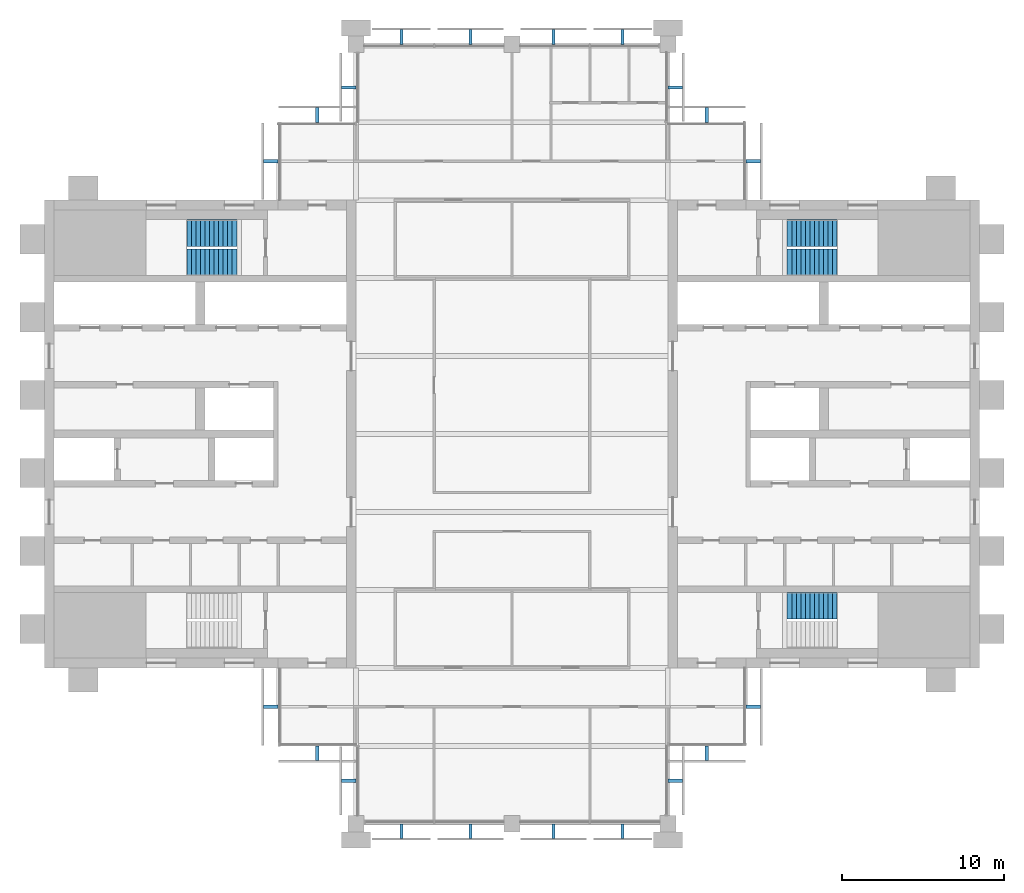
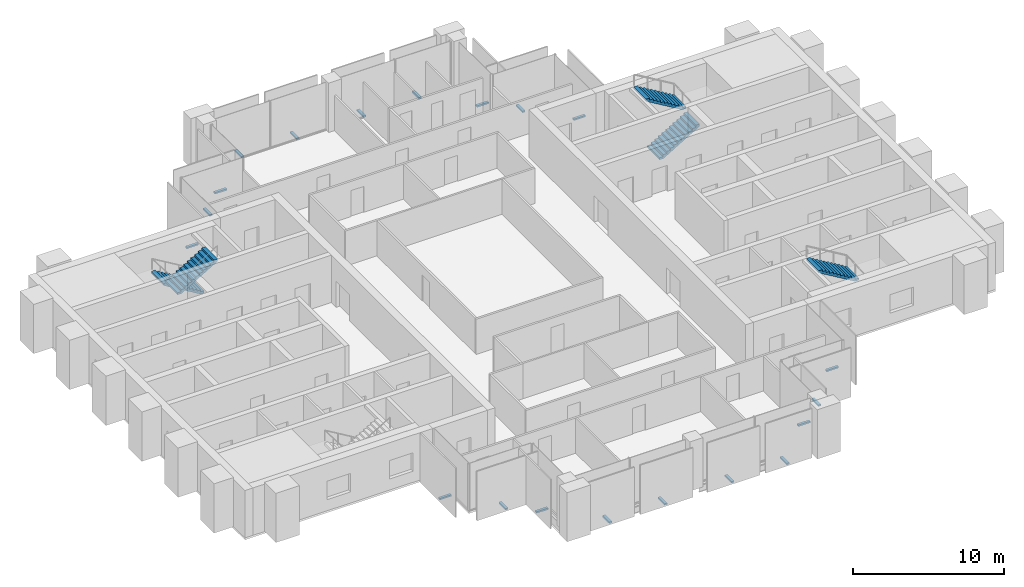
# One storey, part 12 of 13: 20 discrete accessories, 5 stair flights, 3 elements without a shape of their own.
"""IFC4 building model written with IfcOpenShell, lengths in metres."""

from ifc_helpers import new_model, si_unit, direction, frame, origin, origin_2d, place, context, subcontext, project, spatial, polyline, rectangle, outline, extrude, material, type_object, element, aggregate, save


model = new_model("IFC4")

# Units and contexts
model_context = context("Model", 3, precision=1e-05, world=origin(), true_north=direction((0.0, 1.0)))
body_context = subcontext(model_context, "Body", "Model", "MODEL_VIEW")
ifc_project = project(units=[si_unit("LENGTHUNIT", "METRE"), si_unit("AREAUNIT", "SQUARE_METRE"), si_unit("VOLUMEUNIT", "CUBIC_METRE"), si_unit("PLANEANGLEUNIT", "RADIAN"), si_unit("MASSUNIT", "GRAM", prefix="KILO")], contexts=[model_context])

# Site, building, storey
site_placement = place(None, origin())
site = spatial("IfcSite", under=ifc_project, at=site_placement, CompositionType="ELEMENT")
building_placement = place(site_placement, origin())
building = spatial("IfcBuilding", under=site, at=building_placement, Name="Baori Bourse Tower", CompositionType="ELEMENT")
storey_placement = place(building_placement, frame((0.0, 0.0, 334.300048828125)))
storey = spatial("IfcBuildingStorey", under=building, at=storey_placement, Name="L74", CompositionType="ELEMENT", Elevation=334.300048828125)

# Stair, stair flights
ifc_material_1 = material(Name="Concrete f'c 50 MPa", Category="concrete")
stair_type = type_object("IfcStairType", Name="Core stair", PredefinedType="HALF_TURN_STAIR", material=ifc_material_1)
stair_1_placement = place(storey_placement, origin())
stair_1 = element("IfcStair", 1, at=stair_1_placement, inside=storey, type_object=stair_type, Name="L74 Stair WB", PredefinedType="HALF_TURN_STAIR")
ifc_material_2 = material(Name="Concrete f'c 50 MPa", Category="concrete")
stair_flight_type = type_object("IfcStairFlightType", Name="Core stair flight", PredefinedType="STRAIGHT", material=ifc_material_2)
stair_flight_1_placement = place(storey_placement, frame((11.85009765625, 36.375, 0.0), z_axis=(0.0, 0.0, 1.0), x_axis=(-1.0, 0.0, 0.0)))
stair_flight_1 = element("IfcStairFlight", 2, at=stair_flight_1_placement, type_object=stair_flight_type, Name="ST2 flight 1", NumberOfRisers=12, NumberOfTreads=11, PredefinedType="STRAIGHT", RiserHeight=0.166666667, TreadLength=0.28, context=body_context, shape_type="SweptSolid", body=[
    extrude(outline(polyline([(0.0, 0.0), (0.0, 0.166748046875), (0.280029296875, 0.166748046875), (0.280029296875, 0.333251953125), (0.56005859375, 0.333251953125), (0.56005859375, 0.5), (0.840087890625, 0.5), (0.840087890625, 0.666748046875), (1.1201171875, 0.666748046875), (1.1201171875, 0.833251953125), (1.39990234375, 0.833251953125), (1.39990234375, 1.0), (1.679931640625, 1.0), (1.679931640625, 1.166748046875), (1.9599609375, 1.166748046875), (1.9599609375, 1.333251953125), (2.239990234375, 1.333251953125), (2.239990234375, 1.5), (2.52001953125, 1.5), (2.52001953125, 1.666748046875), (2.800048828125, 1.666748046875), (2.800048828125, 1.833251953125), (3.080078125, 1.833251953125), (3.080078125, 2.0), (3.080078125, 1.658935546875), (0.29296875, 0.0), (0.0, 0.0)])), frame((0.0, 0.824951171875, 0.0), z_axis=(0.0, -1.0, 0.0), x_axis=(1.0, 0.0, 0.0)), (0.0, 0.0, 1.0), 1.64990234375),
])
stair_flight_2_placement = place(storey_placement, frame((8.77001953125, 34.574951171875, 2.0), z_axis=(0.0, 0.0, 1.0), x_axis=(1.0, 0.0, 0.0)))
stair_flight_2 = element("IfcStairFlight", 3, at=stair_flight_2_placement, type_object=stair_flight_type, Name="ST2 flight 2", NumberOfRisers=12, NumberOfTreads=11, PredefinedType="STRAIGHT", RiserHeight=0.166666667, TreadLength=0.28, context=body_context, shape_type="SweptSolid", body=[
    extrude(outline(polyline([(0.0, 0.0), (0.0, 0.166748046875), (0.280029296875, 0.166748046875), (0.280029296875, 0.333251953125), (0.56005859375, 0.333251953125), (0.56005859375, 0.5), (0.840087890625, 0.5), (0.840087890625, 0.666748046875), (1.1201171875, 0.666748046875), (1.1201171875, 0.833251953125), (1.39990234375, 0.833251953125), (1.39990234375, 1.0), (1.679931640625, 1.0), (1.679931640625, 1.166748046875), (1.9599609375, 1.166748046875), (1.9599609375, 1.333251953125), (2.239990234375, 1.333251953125), (2.239990234375, 1.5), (2.52001953125, 1.5), (2.52001953125, 1.666748046875), (2.800048828125, 1.666748046875), (2.800048828125, 1.833251953125), (3.080078125, 1.833251953125), (3.080078125, 2.0), (3.080078125, 1.658935546875), (0.29296875, 0.0), (0.0, 0.0)])), frame((0.0, 0.824951171875, 0.0), z_axis=(0.0, -1.0, 0.0), x_axis=(1.0, 0.0, 0.0)), (0.0, 0.0, 1.0), 1.64990234375),
])
aggregate(stair_1, [stair_flight_1, stair_flight_2])

# Stair, stair flight
stair_2_placement = place(storey_placement, origin())
stair_2 = element("IfcStair", 4, at=stair_2_placement, inside=storey, type_object=stair_type, Name="L74 Stair EA", PredefinedType="HALF_TURN_STAIR")
stair_flight_3_placement = place(storey_placement, frame((48.830078125, 13.425048828125, 2.0), z_axis=(0.0, 0.0, 1.0), x_axis=(-1.0, 0.0, 0.0)))
stair_flight_3 = element("IfcStairFlight", 5, at=stair_flight_3_placement, type_object=stair_flight_type, Name="ST3 flight 2", NumberOfRisers=12, NumberOfTreads=11, PredefinedType="STRAIGHT", RiserHeight=0.166666667, TreadLength=0.28, context=body_context, shape_type="SweptSolid", body=[
    extrude(outline(polyline([(0.0, 0.0), (0.0, 0.166748046875), (0.280029296875, 0.166748046875), (0.280029296875, 0.333251953125), (0.56005859375, 0.333251953125), (0.56005859375, 0.5), (0.840087890625, 0.5), (0.840087890625, 0.666748046875), (1.1201171875, 0.666748046875), (1.1201171875, 0.833251953125), (1.39990234375, 0.833251953125), (1.39990234375, 1.0), (1.679931640625, 1.0), (1.679931640625, 1.166748046875), (1.9599609375, 1.166748046875), (1.9599609375, 1.333251953125), (2.239990234375, 1.333251953125), (2.239990234375, 1.5), (2.52001953125, 1.5), (2.52001953125, 1.666748046875), (2.800048828125, 1.666748046875), (2.800048828125, 1.833251953125), (3.080078125, 1.833251953125), (3.080078125, 2.0), (3.080078125, 1.658935546875), (0.29296875, 0.0), (0.0, 0.0)])), frame((0.0, 0.824951171875, 0.0), z_axis=(0.0, -1.0, 0.0), x_axis=(1.0, 0.0, 0.0)), (0.0, 0.0, 1.0), 1.64990234375),
])
aggregate(stair_2, [stair_flight_3])

# Stair, stair flights
stair_3_placement = place(storey_placement, origin())
stair_3 = element("IfcStair", 6, at=stair_3_placement, inside=storey, type_object=stair_type, Name="L74 Stair EB", PredefinedType="HALF_TURN_STAIR")
stair_flight_4_placement = place(storey_placement, frame((45.75, 34.574951171875, 0.0), z_axis=(0.0, 0.0, 1.0), x_axis=(1.0, 0.0, 0.0)))
stair_flight_4 = element("IfcStairFlight", 7, at=stair_flight_4_placement, type_object=stair_flight_type, Name="ST4 flight 1", NumberOfRisers=12, NumberOfTreads=11, PredefinedType="STRAIGHT", RiserHeight=0.166666667, TreadLength=0.28, context=body_context, shape_type="SweptSolid", body=[
    extrude(outline(polyline([(0.0, 0.0), (0.0, 0.166748046875), (0.280029296875, 0.166748046875), (0.280029296875, 0.333251953125), (0.56005859375, 0.333251953125), (0.56005859375, 0.5), (0.840087890625, 0.5), (0.840087890625, 0.666748046875), (1.1201171875, 0.666748046875), (1.1201171875, 0.833251953125), (1.39990234375, 0.833251953125), (1.39990234375, 1.0), (1.679931640625, 1.0), (1.679931640625, 1.166748046875), (1.9599609375, 1.166748046875), (1.9599609375, 1.333251953125), (2.239990234375, 1.333251953125), (2.239990234375, 1.5), (2.52001953125, 1.5), (2.52001953125, 1.666748046875), (2.800048828125, 1.666748046875), (2.800048828125, 1.833251953125), (3.080078125, 1.833251953125), (3.080078125, 2.0), (3.080078125, 1.658935546875), (0.29296875, 0.0), (0.0, 0.0)])), frame((0.0, 0.824951171875, 0.0), z_axis=(0.0, -1.0, 0.0), x_axis=(1.0, 0.0, 0.0)), (0.0, 0.0, 1.0), 1.64990234375),
])
stair_flight_5_placement = place(storey_placement, frame((48.830078125, 36.375, 2.0), z_axis=(0.0, 0.0, 1.0), x_axis=(-1.0, 0.0, 0.0)))
stair_flight_5 = element("IfcStairFlight", 8, at=stair_flight_5_placement, type_object=stair_flight_type, Name="ST4 flight 2", NumberOfRisers=12, NumberOfTreads=11, PredefinedType="STRAIGHT", RiserHeight=0.166666667, TreadLength=0.28, context=body_context, shape_type="SweptSolid", body=[
    extrude(outline(polyline([(0.0, 0.0), (0.0, 0.166748046875), (0.280029296875, 0.166748046875), (0.280029296875, 0.333251953125), (0.56005859375, 0.333251953125), (0.56005859375, 0.5), (0.840087890625, 0.5), (0.840087890625, 0.666748046875), (1.1201171875, 0.666748046875), (1.1201171875, 0.833251953125), (1.39990234375, 0.833251953125), (1.39990234375, 1.0), (1.679931640625, 1.0), (1.679931640625, 1.166748046875), (1.9599609375, 1.166748046875), (1.9599609375, 1.333251953125), (2.239990234375, 1.333251953125), (2.239990234375, 1.5), (2.52001953125, 1.5), (2.52001953125, 1.666748046875), (2.800048828125, 1.666748046875), (2.800048828125, 1.833251953125), (3.080078125, 1.833251953125), (3.080078125, 2.0), (3.080078125, 1.658935546875), (0.29296875, 0.0), (0.0, 0.0)])), frame((0.0, 0.824951171875, 0.0), z_axis=(0.0, -1.0, 0.0), x_axis=(1.0, 0.0, 0.0)), (0.0, 0.0, 1.0), 1.64990234375),
])
aggregate(stair_3, [stair_flight_4, stair_flight_5])

# Discrete accessories
ifc_material_3 = material(Name="Pale anodised aluminium", Category="aluminium")
discrete_accessory_type = type_object("IfcDiscreteAccessoryType", Name="OS2 Outer skin bracket", PredefinedType="BRACKET", material=ifc_material_3)
for number, where, z_axis, x_axis, name in (
    (9, (43.64990234375, 40.800048828125, -0.14404296875), (0.0, 0.0, 1.0), (0.0, 1.0, 0.0), "Outer skin bracket L74 1"),
    (10, (40.800048828125, 43.64990234375, -0.14404296875), (0.0, 0.0, 1.0), (-1.0, 0.0, 0.0), "Outer skin bracket L74 2"),
    (11, (38.85009765625, 45.35009765625, -0.14404296875), (0.0, 0.0, 1.0), (0.0, 1.0, 0.0), "Outer skin bracket L74 3"),
    (12, (35.612548828125, 48.449951171875, -0.14404296875), (0.0, 0.0, 1.0), (-1.0, 0.0, 0.0), "Outer skin bracket L74 4"),
    (13, (31.362548828125, 48.449951171875, -0.14404296875), (0.0, 0.0, 1.0), (-1.0, 0.0, 0.0), "Outer skin bracket L74 5"),
    (14, (26.237548828125, 48.449951171875, -0.14404296875), (0.0, 0.0, 1.0), (-1.0, 0.0, 0.0), "Outer skin bracket L74 6"),
    (15, (21.987548828125, 48.449951171875, -0.14404296875), (0.0, 0.0, 1.0), (-1.0, 0.0, 0.0), "Outer skin bracket L74 7"),
    (16, (18.75, 45.35009765625, -0.14404296875), (0.0, 0.0, 1.0), (0.0, -1.0, 0.0), "Outer skin bracket L74 8"),
    (17, (16.800048828125, 43.64990234375, -0.14404296875), (0.0, 0.0, 1.0), (-1.0, 0.0, 0.0), "Outer skin bracket L74 9"),
    (18, (13.949951171875, 40.800048828125, -0.14404296875), (0.0, 0.0, 1.0), (0.0, -1.0, 0.0), "Outer skin bracket L74 10"),
    (19, (13.949951171875, 7.199951171875, -0.14404296875), (0.0, 0.0, 1.0), (0.0, -1.0, 0.0), "Outer skin bracket L74 11"),
    (20, (16.800048828125, 4.35009765625, -0.14404296875), (0.0, 0.0, 1.0), (1.0, 0.0, 0.0), "Outer skin bracket L74 12"),
    (21, (18.75, 2.64990234375, -0.14404296875), (0.0, 0.0, 1.0), (0.0, -1.0, 0.0), "Outer skin bracket L74 13"),
    (22, (21.987548828125, -0.449951171875, -0.14404296875), (0.0, 0.0, 1.0), (1.0, 0.0, 0.0), "Outer skin bracket L74 14"),
    (23, (26.237548828125, -0.449951171875, -0.14404296875), (0.0, 0.0, 1.0), (1.0, 0.0, 0.0), "Outer skin bracket L74 15"),
    (24, (31.362548828125, -0.449951171875, -0.14404296875), (0.0, 0.0, 1.0), (1.0, 0.0, 0.0), "Outer skin bracket L74 16"),
    (25, (35.612548828125, -0.449951171875, -0.14404296875), (0.0, 0.0, 1.0), (1.0, 0.0, 0.0), "Outer skin bracket L74 17"),
    (26, (38.85009765625, 2.64990234375, -0.14404296875), (0.0, 0.0, 1.0), (0.0, 1.0, 0.0), "Outer skin bracket L74 18"),
    (27, (40.800048828125, 4.35009765625, -0.14404296875), (0.0, 0.0, 1.0), (1.0, 0.0, 0.0), "Outer skin bracket L74 19"),
    (28, (43.64990234375, 7.199951171875, -0.14404296875), (0.0, 0.0, 1.0), (0.0, 1.0, 0.0), "Outer skin bracket L74 20"),
):
    element("IfcDiscreteAccessory", number, at=place(storey_placement, frame(where, z_axis=z_axis, x_axis=x_axis)), inside=storey, type_object=discrete_accessory_type, Name=name, PredefinedType="BRACKET", context=body_context, shape_type="SweptSolid", body=[
        extrude(rectangle(XDim=0.199951171875, YDim=0.89990234375, at=origin_2d()), origin(), (0.0, 0.0, 1.0), 0.1279296875),
    ])

save(model, "model.ifc")
